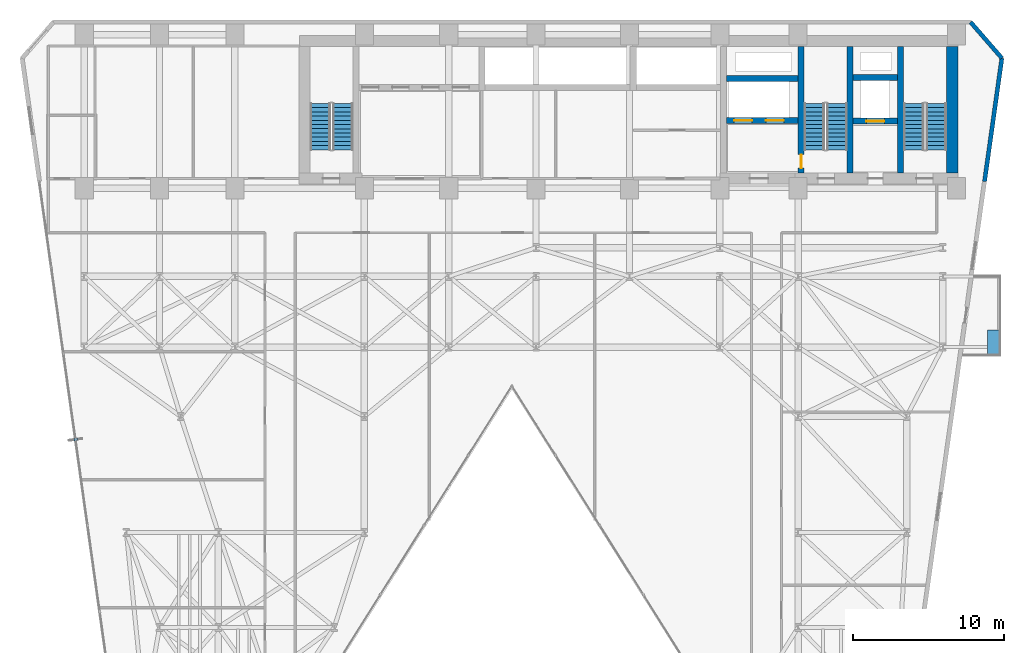
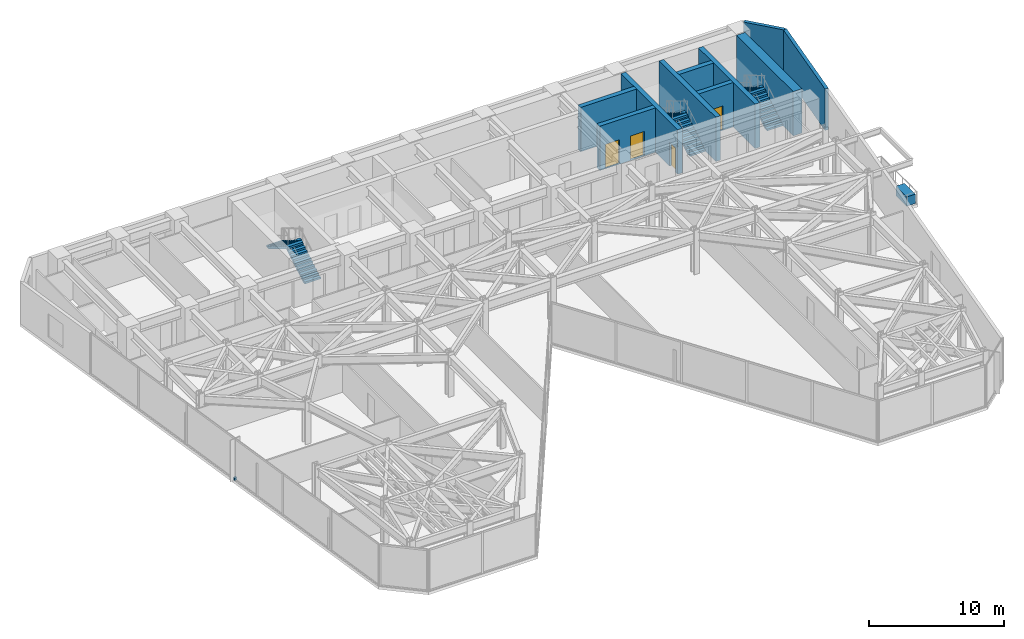
# One storey, part 21 of 25: 10 walls, 6 stair flights, 4 doors, 2 discrete accessories, 4 openings, 3 elements without a shape of their own.
"""IFC4 building model written with IfcOpenShell, lengths in metres."""

from ifc_helpers import new_model, si_unit, direction, frame, frame_2d, origin, origin_2d, place, context, subcontext, project, spatial, polyline, rectangle, outline, extrude, material, layer, layer_set, type_object, element, fill, aggregate, save


model = new_model("IFC4")

# Units and contexts
model_context = context("Model", 3, precision=1e-05, world=origin(), true_north=direction((0.0, 1.0)))
body_context = subcontext(model_context, "Body", "Model", "MODEL_VIEW")
ifc_project = project(units=[si_unit("LENGTHUNIT", "METRE"), si_unit("AREAUNIT", "SQUARE_METRE"), si_unit("VOLUMEUNIT", "CUBIC_METRE"), si_unit("PLANEANGLEUNIT", "RADIAN"), si_unit("MASSUNIT", "GRAM", prefix="KILO")], contexts=[model_context])

# Site, building, storey
site_placement = place(None, origin())
site = spatial("IfcSite", under=ifc_project, at=site_placement, CompositionType="ELEMENT")
building_placement = place(site_placement, origin())
building = spatial("IfcBuilding", under=site, at=building_placement, Name="Kravanh Interchange Tower", CompositionType="ELEMENT")
storey_placement = place(building_placement, frame((0.0, 0.0, 33.5)))
storey = spatial("IfcBuildingStorey", under=building, at=storey_placement, Name="L07", CompositionType="ELEMENT", Elevation=33.5)

# Walls
ifc_material_1 = material(Name="Concrete C80/95", Category="concrete")
ifc_layer_1 = layer(ifc_material_1, 0.39990234375)
ifc_layer_set_1 = layer_set([ifc_layer_1], Name="Core Shear Wall Concrete C80/95 400mm")
wall_type_1 = type_object("IfcWallType", Name="Core Shear Wall Concrete C80/95 400mm", PredefinedType="SHEAR", material=ifc_layer_set_1)
for number, where, z_axis, x_axis, name in (
    (1, (62.800048828125, 38.375, 0.0), (0.0, 0.0, 1.0), (0.0, 1.0, 0.0), "L07 Stair ST1 West Shear Wall"),
    (2, (59.449951171875, 38.375, 0.0), (0.0, 0.0, 1.0), (0.0, 1.0, 0.0), "L07 Stair ST2 East Shear Wall"),
):
    element("IfcWall", number, at=place(storey_placement, frame(where, z_axis=z_axis, x_axis=x_axis)), inside=storey, type_object=wall_type_1, Name=name, PredefinedType="SHEAR", context=body_context, shape_type="SweptSolid", body=[
        extrude(rectangle(XDim=8.375, YDim=0.39990234375, at=frame_2d((4.1875, 0.0))), origin(), (0.0, 0.0, 1.0), 4.0),
    ])

# Wall, opening, door
wall_1_placement = place(storey_placement, frame((56.199951171875, 38.375, 0.0), z_axis=(0.0, 0.0, 1.0), x_axis=(0.0, 1.0, 0.0)))
wall_1 = element("IfcWall", 3, at=wall_1_placement, inside=storey, type_object=wall_type_1, Name="L07 Stair ST2 West Shear Wall", PredefinedType="SHEAR", context=body_context, shape_type="SweptSolid", body=[
    extrude(rectangle(XDim=8.375, YDim=0.39990234375, at=frame_2d((4.1875, 0.0))), origin(), (0.0, 0.0, 1.0), 4.0),
])
opening_1_placement = place(wall_1_placement, frame((0.304931640625, 0.0, 0.0)))
opening_1 = element("IfcOpeningElement", 4, at=opening_1_placement, cuts=wall_1, Name="Opening D-STAIR-90", PredefinedType="OPENING", context=body_context, shape_type="SweptSolid", body=[
    extrude(rectangle(XDim=0.89990234375, YDim=2.14990234375, at=frame_2d((0.449951171875, 1.074951171875))), frame((0.0, 0.2099609375, 0.0), z_axis=(0.0, -1.0, 0.0), x_axis=(1.0, 0.0, 0.0)), (0.0, 0.0, 1.0), 0.419921875),
])
ifc_material_2 = material(Name="Structural Steel S355", Category="steel")
door_type_1 = type_object("IfcDoorType", Name="Fire-Rated Stair Lobby Door 900x2150", OperationType="NOTDEFINED", PredefinedType="DOOR", material=ifc_material_2)
door_1_placement = place(opening_1_placement, origin())
door_1 = element("IfcDoor", 5, at=door_1_placement, inside=storey, type_object=door_type_1, Name="L07 Firefighting Lobby to Stair ST2 Door", OperationType="SINGLE_SWING_LEFT", OverallHeight=2.14990234375, OverallWidth=0.89990234375, PredefinedType="DOOR", context=body_context, shape_type="SweptSolid", body=[
    extrude(rectangle(XDim=0.89990234375, YDim=2.14990234375, at=frame_2d((0.449951171875, 1.074951171875))), frame((0.0, 0.02490234375, 0.0), z_axis=(0.0, -1.0, 0.0), x_axis=(1.0, 0.0, 0.0)), (0.0, 0.0, 1.0), 0.050048828125),
])
fill(opening_1, door_1)

wall_2_placement = place(storey_placement, frame((59.64990234375, 41.800048828125, 0.0), z_axis=(0.0, 0.0, 1.0), x_axis=(1.0, 0.0, 0.0)))
wall_2 = element("IfcWall", 6, at=wall_2_placement, inside=storey, type_object=wall_type_1, Name="L07 Service Lift Shaft South Wall", PredefinedType="SHEAR", context=body_context, shape_type="SweptSolid", body=[
    extrude(rectangle(XDim=2.9501953125, YDim=0.39990234375, at=frame_2d((1.47509765625, 0.0))), origin(), (0.0, 0.0, 1.0), 4.0),
])
opening_2_placement = place(wall_2_placement, frame((0.8701171875, 0.0, 0.0)))
opening_2 = element("IfcOpeningElement", 7, at=opening_2_placement, cuts=wall_2, Name="Opening LD02", PredefinedType="OPENING", context=body_context, shape_type="SweptSolid", body=[
    extrude(rectangle(XDim=1.199951171875, YDim=2.199951171875, at=frame_2d((0.60009765625, 1.10009765625))), frame((0.0, 0.2099609375, 0.0), z_axis=(0.0, -1.0, 0.0), x_axis=(1.0, 0.0, 0.0)), (0.0, 0.0, 1.0), 0.419921875),
])
ifc_material_3 = material(Name="Stainless Steel 316", Category="steel")
door_type_2 = type_object("IfcDoorType", Name="Fire and Service Lift Sliding Landing Door 1200x2200", OperationType="DOUBLE_DOOR_SLIDING", PredefinedType="DOOR", material=ifc_material_3)
door_2_placement = place(opening_2_placement, origin())
door_2 = element("IfcDoor", 8, at=door_2_placement, inside=storey, type_object=door_type_2, Name="L07 Lift LS-01 Landing Door", OperationType="DOUBLE_DOOR_SLIDING", OverallHeight=2.199951171875, OverallWidth=1.199951171875, PredefinedType="DOOR", context=body_context, shape_type="SweptSolid", body=[
    extrude(rectangle(XDim=1.199951171875, YDim=2.199951171875, at=frame_2d((0.60009765625, 1.10009765625))), frame((0.0, 0.02490234375, 0.0), z_axis=(0.0, -1.0, 0.0), x_axis=(1.0, 0.0, 0.0)), (0.0, 0.0, 1.0), 0.050048828125),
])
fill(opening_2, door_2)

# Wall
wall_3_placement = place(storey_placement, frame((59.64990234375, 44.699951171875, 0.0), z_axis=(0.0, 0.0, 1.0), x_axis=(1.0, 0.0, 0.0)))
element("IfcWall", 9, at=wall_3_placement, inside=storey, type_object=wall_type_1, Name="L07 Service Lift Shaft North Wall", PredefinedType="SHEAR", context=body_context, shape_type="SweptSolid", body=[
    extrude(rectangle(XDim=2.9501953125, YDim=0.39990234375, at=frame_2d((1.47509765625, 0.0))), origin(), (0.0, 0.0, 1.0), 4.0),
])

# Wall, openings, doors
wall_4_placement = place(storey_placement, frame((51.25, 41.85009765625, 0.0), z_axis=(0.0, 0.0, 1.0), x_axis=(1.0, 0.0, 0.0)))
wall_4 = element("IfcWall", 10, at=wall_4_placement, inside=storey, type_object=wall_type_1, Name="L07 Fire Lift Shaft South Wall", PredefinedType="SHEAR", context=body_context, shape_type="SweptSolid", body=[
    extrude(rectangle(XDim=4.75, YDim=0.39990234375, at=frame_2d((2.375, 0.0))), origin(), (0.0, 0.0, 1.0), 4.0),
])
opening_3_placement = place(wall_4_placement, frame((0.5, 0.0, 0.0)))
opening_3 = element("IfcOpeningElement", 11, at=opening_3_placement, cuts=wall_4, Name="Opening LD02", PredefinedType="OPENING", context=body_context, shape_type="SweptSolid", body=[
    extrude(rectangle(XDim=1.199951171875, YDim=2.199951171875, at=frame_2d((0.60009765625, 1.10009765625))), frame((0.0, 0.2099609375, 0.0), z_axis=(0.0, -1.0, 0.0), x_axis=(1.0, 0.0, 0.0)), (0.0, 0.0, 1.0), 0.419921875),
])
opening_4_placement = place(wall_4_placement, frame((2.60009765625, 0.0, 0.0)))
opening_4 = element("IfcOpeningElement", 12, at=opening_4_placement, cuts=wall_4, Name="Opening LD02", PredefinedType="OPENING", context=body_context, shape_type="SweptSolid", body=[
    extrude(rectangle(XDim=1.199951171875, YDim=2.199951171875, at=frame_2d((0.60009765625, 1.10009765625))), frame((0.0, 0.2099609375, 0.0), z_axis=(0.0, -1.0, 0.0), x_axis=(1.0, 0.0, 0.0)), (0.0, 0.0, 1.0), 0.419921875),
])
door_3_placement = place(opening_3_placement, origin())
door_3 = element("IfcDoor", 13, at=door_3_placement, inside=storey, type_object=door_type_2, Name="L07 Lift FSAE-01 Landing Door", OperationType="DOUBLE_DOOR_SLIDING", OverallHeight=2.199951171875, OverallWidth=1.199951171875, PredefinedType="DOOR", context=body_context, shape_type="SweptSolid", body=[
    extrude(rectangle(XDim=1.199951171875, YDim=2.199951171875, at=frame_2d((0.60009765625, 1.10009765625))), frame((0.0, 0.02490234375, 0.0), z_axis=(0.0, -1.0, 0.0), x_axis=(1.0, 0.0, 0.0)), (0.0, 0.0, 1.0), 0.050048828125),
])
fill(opening_3, door_3)
door_4_placement = place(opening_4_placement, origin())
door_4 = element("IfcDoor", 14, at=door_4_placement, inside=storey, type_object=door_type_2, Name="L07 Lift FSAE-02 Landing Door", OperationType="DOUBLE_DOOR_SLIDING", OverallHeight=2.199951171875, OverallWidth=1.199951171875, PredefinedType="DOOR", context=body_context, shape_type="SweptSolid", body=[
    extrude(rectangle(XDim=1.199951171875, YDim=2.199951171875, at=frame_2d((0.60009765625, 1.10009765625))), frame((0.0, 0.02490234375, 0.0), z_axis=(0.0, -1.0, 0.0), x_axis=(1.0, 0.0, 0.0)), (0.0, 0.0, 1.0), 0.050048828125),
])
fill(opening_4, door_4)

# Walls
wall_5_placement = place(storey_placement, frame((51.25, 44.64990234375, 0.0), z_axis=(0.0, 0.0, 1.0), x_axis=(1.0, 0.0, 0.0)))
element("IfcWall", 15, at=wall_5_placement, inside=storey, type_object=wall_type_1, Name="L07 Fire Lift Shaft North Wall", PredefinedType="SHEAR", context=body_context, shape_type="SweptSolid", body=[
    extrude(rectangle(XDim=4.75, YDim=0.39990234375, at=frame_2d((2.375, 0.0))), origin(), (0.0, 0.0, 1.0), 4.0),
])
ifc_material_4 = material(Name="Concrete C80/95", Category="concrete")
ifc_layer_2 = layer(ifc_material_4, 0.75)
ifc_layer_set_2 = layer_set([ifc_layer_2], Name="Core Shear Wall Concrete C80/95 750mm")
wall_type_2 = type_object("IfcWallType", Name="Core Shear Wall Concrete C80/95 750mm", PredefinedType="SHEAR", material=ifc_layer_set_2)
wall_6_placement = place(storey_placement, frame((66.22509765625, 38.375, 0.0), z_axis=(0.0, 0.0, 1.0), x_axis=(0.0, 1.0, 0.0)))
element("IfcWall", 16, at=wall_6_placement, inside=storey, type_object=wall_type_2, Name="L07 Stair ST1 East Shear Wall", PredefinedType="SHEAR", context=body_context, shape_type="SweptSolid", body=[
    extrude(rectangle(XDim=8.375, YDim=0.75, at=frame_2d((4.1875, 0.0))), origin(), (0.0, 0.0, 1.0), 4.0),
])
ifc_material_5 = material(Name="Insulated Precast Concrete C40/50 with Bronze Cladding", Category="concrete")
ifc_layer_3 = layer(ifc_material_5, 0.280029296875)
ifc_layer_set_3 = layer_set([ifc_layer_3], Name="Exterior Insulated Concrete C40/50 Bronze Spandrel Wall 280mm")
wall_type_3 = type_object("IfcWallType", Name="Exterior Insulated Concrete C40/50 Bronze Spandrel Wall 280mm", PredefinedType="STANDARD", material=ifc_layer_set_3)
wall_7_placement = place(storey_placement, frame((67.4453125, 48.3798828125, 0.0), z_axis=(0.0, 0.0, 1.0), x_axis=(0.656070053895, -0.754699996278, 0.0)))
element("IfcWall", 17, at=wall_7_placement, inside=storey, type_object=wall_type_3, Name="L07 Exterior Wall 4", PredefinedType="STANDARD", context=body_context, shape_type="SweptSolid", body=[
    extrude(rectangle(XDim=3.1708984375, YDim=0.280029296875, at=frame_2d((1.58544921875, 0.0))), origin(), (0.0, 0.0, 1.0), 3.739990234375),
])
wall_8_placement = place(storey_placement, frame((69.525634765625, 45.98681640625, 0.0), z_axis=(0.0, 0.0, 1.0), x_axis=(-0.139180172484, -0.990267074878, 0.0)))
element("IfcWall", 18, at=wall_8_placement, inside=storey, type_object=wall_type_3, Name="L07 Exterior Wall 5", PredefinedType="STANDARD", context=body_context, shape_type="SweptSolid", body=[
    extrude(rectangle(XDim=8.267333984375, YDim=0.280029296875, at=frame_2d((4.1337890625, 0.0))), origin(), (0.0, 0.0, 1.0), 3.739990234375),
])

# Stair, stair flights
ifc_material_6 = material(Name="Concrete C50/60", Category="concrete")
stair_type = type_object("IfcStairType", Name="Core Fire Exit Dogleg Stair Concrete C50/60", PredefinedType="HALF_TURN_STAIR", material=ifc_material_6)
stair_1_placement = place(storey_placement, origin())
stair_1 = element("IfcStair", 19, at=stair_1_placement, inside=storey, type_object=stair_type, Name="L07 Exit Stair ST1", PredefinedType="HALF_TURN_STAIR")
ifc_material_7 = material(Name="Precast Concrete C50/60", Category="concrete")
ifc_layer_4 = layer(ifc_material_7, 0.199951171875)
ifc_layer_set_4 = layer_set([ifc_layer_4], Name="Precast Concrete C50/60 Stair Flight 1350mm")
stair_flight_type = type_object("IfcStairFlightType", Name="Precast Concrete C50/60 Stair Flight 1350mm", PredefinedType="STRAIGHT", material=ifc_layer_set_4)
stair_flight_1_placement = place(storey_placement, frame((65.175048828125, 39.89990234375, 0.0), z_axis=(0.0, 0.0, 1.0), x_axis=(0.0, 1.0, 0.0)))
stair_flight_1 = element("IfcStairFlight", 20, at=stair_flight_1_placement, type_object=stair_flight_type, Name="ST1 flight 1", NumberOfRisers=12, NumberOfTreads=11, PredefinedType="STRAIGHT", RiserHeight=0.166666667, TreadLength=0.28, context=body_context, shape_type="SweptSolid", body=[
    extrude(outline(polyline([(0.0, 0.0), (0.0, 0.166748046875), (0.280029296875, 0.166748046875), (0.280029296875, 0.333251953125), (0.56005859375, 0.333251953125), (0.56005859375, 0.5), (0.840087890625, 0.5), (0.840087890625, 0.666748046875), (1.1201171875, 0.666748046875), (1.1201171875, 0.833251953125), (1.39990234375, 0.833251953125), (1.39990234375, 1.0), (1.679931640625, 1.0), (1.679931640625, 1.166748046875), (1.9599609375, 1.166748046875), (1.9599609375, 1.333251953125), (2.239990234375, 1.333251953125), (2.239990234375, 1.5), (2.52001953125, 1.5), (2.52001953125, 1.666748046875), (2.800048828125, 1.666748046875), (2.800048828125, 1.833251953125), (3.080078125, 1.833251953125), (3.080078125, 2.0), (3.080078125, 1.658935546875), (0.29296875, 0.0), (0.0, 0.0)])), frame((0.0, 0.675048828125, 0.0), z_axis=(0.0, -1.0, 0.0), x_axis=(1.0, 0.0, 0.0)), (0.0, 0.0, 1.0), 1.35009765625),
])
stair_flight_2_placement = place(storey_placement, frame((63.675048828125, 42.97998046875, 2.0), z_axis=(0.0, 0.0, 1.0), x_axis=(0.0, -1.0, 0.0)))
stair_flight_2 = element("IfcStairFlight", 21, at=stair_flight_2_placement, type_object=stair_flight_type, Name="ST1 flight 2", NumberOfRisers=12, NumberOfTreads=11, PredefinedType="STRAIGHT", RiserHeight=0.166666667, TreadLength=0.28, context=body_context, shape_type="SweptSolid", body=[
    extrude(outline(polyline([(0.0, 0.0), (0.0, 0.166748046875), (0.280029296875, 0.166748046875), (0.280029296875, 0.333251953125), (0.56005859375, 0.333251953125), (0.56005859375, 0.5), (0.840087890625, 0.5), (0.840087890625, 0.666748046875), (1.1201171875, 0.666748046875), (1.1201171875, 0.833251953125), (1.39990234375, 0.833251953125), (1.39990234375, 1.0), (1.679931640625, 1.0), (1.679931640625, 1.166748046875), (1.9599609375, 1.166748046875), (1.9599609375, 1.333251953125), (2.239990234375, 1.333251953125), (2.239990234375, 1.5), (2.52001953125, 1.5), (2.52001953125, 1.666748046875), (2.800048828125, 1.666748046875), (2.800048828125, 1.833251953125), (3.080078125, 1.833251953125), (3.080078125, 2.0), (3.080078125, 1.658935546875), (0.29296875, 0.0), (0.0, 0.0)])), frame((0.0, 0.675048828125, 0.0), z_axis=(0.0, -1.0, 0.0), x_axis=(1.0, 0.0, 0.0)), (0.0, 0.0, 1.0), 1.35009765625),
])
aggregate(stair_1, [stair_flight_1, stair_flight_2])

stair_2_placement = place(storey_placement, origin())
stair_2 = element("IfcStair", 22, at=stair_2_placement, inside=storey, type_object=stair_type, Name="L07 Exit Stair ST2", PredefinedType="HALF_TURN_STAIR")
stair_flight_3_placement = place(storey_placement, frame((58.574951171875, 39.89990234375, 0.0), z_axis=(0.0, 0.0, 1.0), x_axis=(0.0, 1.0, 0.0)))
stair_flight_3 = element("IfcStairFlight", 23, at=stair_flight_3_placement, type_object=stair_flight_type, Name="ST2 flight 1", NumberOfRisers=12, NumberOfTreads=11, PredefinedType="STRAIGHT", RiserHeight=0.166666667, TreadLength=0.28, context=body_context, shape_type="SweptSolid", body=[
    extrude(outline(polyline([(0.0, 0.0), (0.0, 0.166748046875), (0.280029296875, 0.166748046875), (0.280029296875, 0.333251953125), (0.56005859375, 0.333251953125), (0.56005859375, 0.5), (0.840087890625, 0.5), (0.840087890625, 0.666748046875), (1.1201171875, 0.666748046875), (1.1201171875, 0.833251953125), (1.39990234375, 0.833251953125), (1.39990234375, 1.0), (1.679931640625, 1.0), (1.679931640625, 1.166748046875), (1.9599609375, 1.166748046875), (1.9599609375, 1.333251953125), (2.239990234375, 1.333251953125), (2.239990234375, 1.5), (2.52001953125, 1.5), (2.52001953125, 1.666748046875), (2.800048828125, 1.666748046875), (2.800048828125, 1.833251953125), (3.080078125, 1.833251953125), (3.080078125, 2.0), (3.080078125, 1.658935546875), (0.29296875, 0.0), (0.0, 0.0)])), frame((0.0, 0.675048828125, 0.0), z_axis=(0.0, -1.0, 0.0), x_axis=(1.0, 0.0, 0.0)), (0.0, 0.0, 1.0), 1.35009765625),
])
stair_flight_4_placement = place(storey_placement, frame((57.074951171875, 42.97998046875, 2.0), z_axis=(0.0, 0.0, 1.0), x_axis=(0.0, -1.0, 0.0)))
stair_flight_4 = element("IfcStairFlight", 24, at=stair_flight_4_placement, type_object=stair_flight_type, Name="ST2 flight 2", NumberOfRisers=12, NumberOfTreads=11, PredefinedType="STRAIGHT", RiserHeight=0.166666667, TreadLength=0.28, context=body_context, shape_type="SweptSolid", body=[
    extrude(outline(polyline([(0.0, 0.0), (0.0, 0.166748046875), (0.280029296875, 0.166748046875), (0.280029296875, 0.333251953125), (0.56005859375, 0.333251953125), (0.56005859375, 0.5), (0.840087890625, 0.5), (0.840087890625, 0.666748046875), (1.1201171875, 0.666748046875), (1.1201171875, 0.833251953125), (1.39990234375, 0.833251953125), (1.39990234375, 1.0), (1.679931640625, 1.0), (1.679931640625, 1.166748046875), (1.9599609375, 1.166748046875), (1.9599609375, 1.333251953125), (2.239990234375, 1.333251953125), (2.239990234375, 1.5), (2.52001953125, 1.5), (2.52001953125, 1.666748046875), (2.800048828125, 1.666748046875), (2.800048828125, 1.833251953125), (3.080078125, 1.833251953125), (3.080078125, 2.0), (3.080078125, 1.658935546875), (0.29296875, 0.0), (0.0, 0.0)])), frame((0.0, 0.675048828125, 0.0), z_axis=(0.0, -1.0, 0.0), x_axis=(1.0, 0.0, 0.0)), (0.0, 0.0, 1.0), 1.35009765625),
])
aggregate(stair_2, [stair_flight_3, stair_flight_4])

stair_3_placement = place(storey_placement, origin())
stair_3 = element("IfcStair", 25, at=stair_3_placement, inside=storey, type_object=stair_type, Name="L07 Exit Stair ST3", PredefinedType="HALF_TURN_STAIR")
stair_flight_5_placement = place(storey_placement, frame((25.77490234375, 39.89990234375, 0.0), z_axis=(0.0, 0.0, 1.0), x_axis=(0.0, 1.0, 0.0)))
stair_flight_5 = element("IfcStairFlight", 26, at=stair_flight_5_placement, type_object=stair_flight_type, Name="ST3 flight 1", NumberOfRisers=12, NumberOfTreads=11, PredefinedType="STRAIGHT", RiserHeight=0.166666667, TreadLength=0.28, context=body_context, shape_type="SweptSolid", body=[
    extrude(outline(polyline([(0.0, 0.0), (0.0, 0.166748046875), (0.280029296875, 0.166748046875), (0.280029296875, 0.333251953125), (0.56005859375, 0.333251953125), (0.56005859375, 0.5), (0.840087890625, 0.5), (0.840087890625, 0.666748046875), (1.1201171875, 0.666748046875), (1.1201171875, 0.833251953125), (1.39990234375, 0.833251953125), (1.39990234375, 1.0), (1.679931640625, 1.0), (1.679931640625, 1.166748046875), (1.9599609375, 1.166748046875), (1.9599609375, 1.333251953125), (2.239990234375, 1.333251953125), (2.239990234375, 1.5), (2.52001953125, 1.5), (2.52001953125, 1.666748046875), (2.800048828125, 1.666748046875), (2.800048828125, 1.833251953125), (3.080078125, 1.833251953125), (3.080078125, 2.0), (3.080078125, 1.658935546875), (0.29296875, 0.0), (0.0, 0.0)])), frame((0.0, 0.675048828125, 0.0), z_axis=(0.0, -1.0, 0.0), x_axis=(1.0, 0.0, 0.0)), (0.0, 0.0, 1.0), 1.35009765625),
])
stair_flight_6_placement = place(storey_placement, frame((24.27490234375, 42.97998046875, 2.0), z_axis=(0.0, 0.0, 1.0), x_axis=(0.0, -1.0, 0.0)))
stair_flight_6 = element("IfcStairFlight", 27, at=stair_flight_6_placement, type_object=stair_flight_type, Name="ST3 flight 2", NumberOfRisers=12, NumberOfTreads=11, PredefinedType="STRAIGHT", RiserHeight=0.166666667, TreadLength=0.28, context=body_context, shape_type="SweptSolid", body=[
    extrude(outline(polyline([(0.0, 0.0), (0.0, 0.166748046875), (0.280029296875, 0.166748046875), (0.280029296875, 0.333251953125), (0.56005859375, 0.333251953125), (0.56005859375, 0.5), (0.840087890625, 0.5), (0.840087890625, 0.666748046875), (1.1201171875, 0.666748046875), (1.1201171875, 0.833251953125), (1.39990234375, 0.833251953125), (1.39990234375, 1.0), (1.679931640625, 1.0), (1.679931640625, 1.166748046875), (1.9599609375, 1.166748046875), (1.9599609375, 1.333251953125), (2.239990234375, 1.333251953125), (2.239990234375, 1.5), (2.52001953125, 1.5), (2.52001953125, 1.666748046875), (2.800048828125, 1.666748046875), (2.800048828125, 1.833251953125), (3.080078125, 1.833251953125), (3.080078125, 2.0), (3.080078125, 1.658935546875), (0.29296875, 0.0), (0.0, 0.0)])), frame((0.0, 0.675048828125, 0.0), z_axis=(0.0, -1.0, 0.0), x_axis=(1.0, 0.0, 0.0)), (0.0, 0.0, 1.0), 1.35009765625),
])
aggregate(stair_3, [stair_flight_5, stair_flight_6])

# Discrete accessories
ifc_material_8 = material(Name="Stainless Steel 316", Category="steel")
discrete_accessory_type_1 = type_object("IfcDiscreteAccessoryType", Name="Solar Fin Curtain-Wall Mounting Bracket Stainless 316", PredefinedType="BRACKET", material=ifc_material_8)
discrete_accessory_1_placement = place(storey_placement, frame((8.03271484375, 20.66845703125, 0.0), z_axis=(0.0, 0.0, 1.0), x_axis=(-0.990267798532, -0.139175023587, 0.0)))
element("IfcDiscreteAccessory", 28, at=discrete_accessory_1_placement, inside=storey, type_object=discrete_accessory_type_1, Name="L07 Solar Fin Mounting Bracket 1", PredefinedType="BRACKET", context=body_context, shape_type="SweptSolid", body=[
    extrude(rectangle(XDim=0.239990234375, YDim=0.179931640625, at=origin_2d()), origin(), (0.0, 0.0, 1.0), 0.219970703125),
])
ifc_material_9 = material(Name="Architectural GRC Concrete C40/50 with Root Barrier", Category="concrete")
discrete_accessory_type_2 = type_object("IfcDiscreteAccessoryType", Name="Structural Balcony Tree Planter Box Concrete C40/50 1600x750x850", PredefinedType="USERDEFINED", material=ifc_material_9)
discrete_accessory_2_placement = place(storey_placement, frame((68.952880859375, 27.139892578125, 0.0), z_axis=(0.0, 0.0, 1.0), x_axis=(1.0, 0.0, 0.0)))
element("IfcDiscreteAccessory", 29, at=discrete_accessory_2_placement, inside=storey, type_object=discrete_accessory_type_2, Name="L07 E Balcony TREE PLANTER", ObjectType="PLANTER", PredefinedType="USERDEFINED", context=body_context, shape_type="SweptSolid", body=[
    extrude(rectangle(XDim=0.75, YDim=1.60009765625, at=origin_2d()), origin(), (0.0, 0.0, 1.0), 0.85009765625),
])

save(model, "model.ifc")
